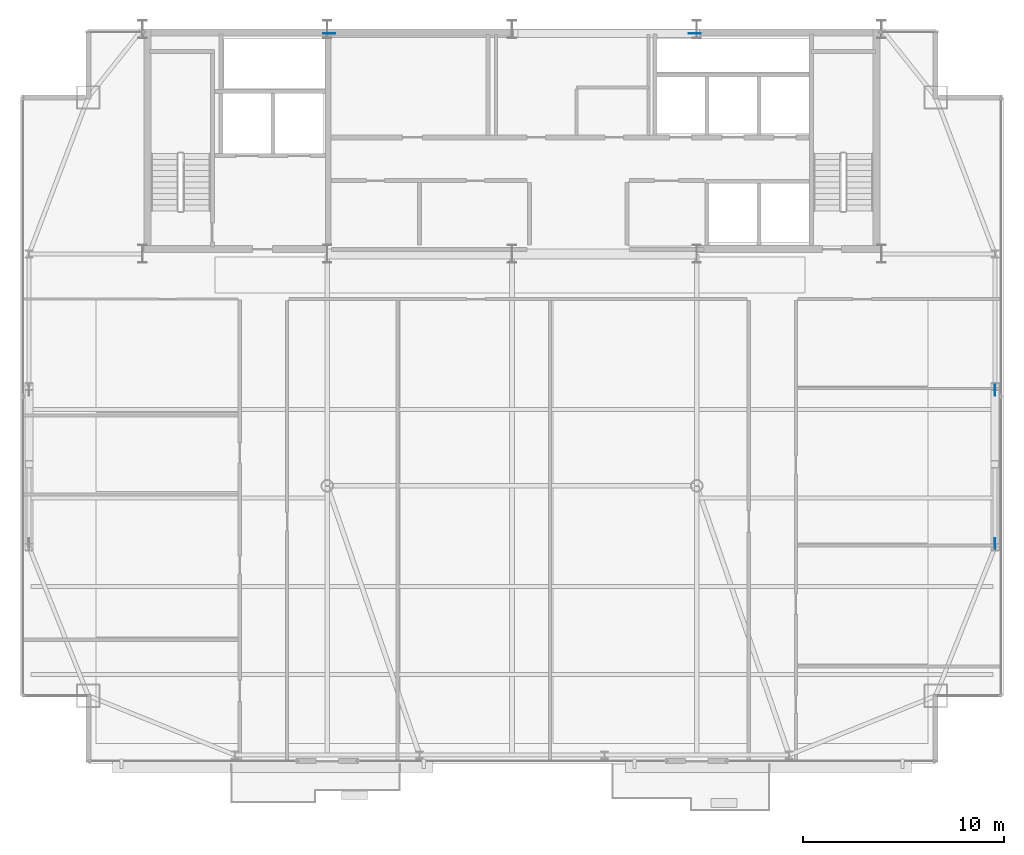
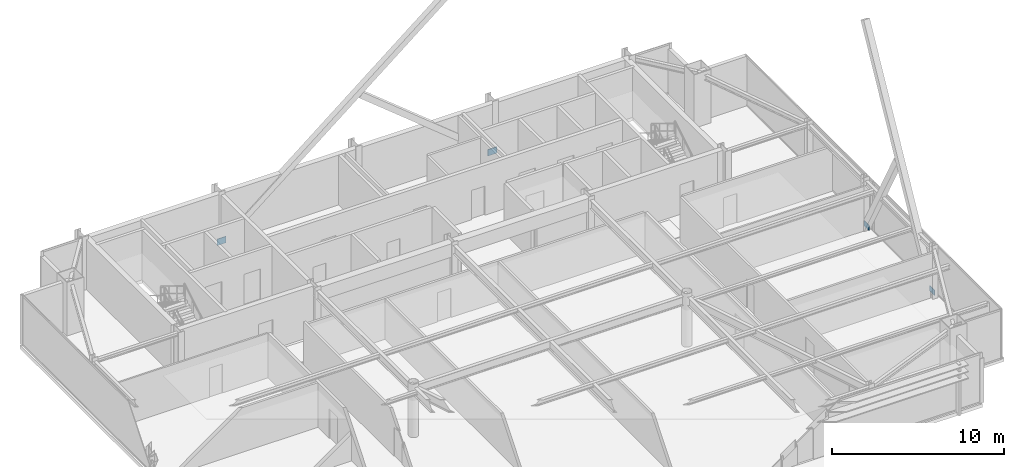
# One storey, part 26 of 31: 4 plates.
"""IFC4 building model written with IfcOpenShell, lengths in metres."""

from ifc_helpers import new_model, si_unit, direction, frame, origin, origin_2d, place, context, subcontext, project, spatial, rectangle, extrude, source, transform, mapped, material, layer, layer_set, type_object, type_shapes, element, save


model = new_model("IFC4")

# Units and contexts
model_context = context("Model", 3, precision=1e-05, world=origin(), true_north=direction((0.0, 1.0)))
body_context = subcontext(model_context, "Body", "Model", "MODEL_VIEW")
ifc_project = project(units=[si_unit("LENGTHUNIT", "METRE"), si_unit("AREAUNIT", "SQUARE_METRE"), si_unit("VOLUMEUNIT", "CUBIC_METRE"), si_unit("PLANEANGLEUNIT", "RADIAN"), si_unit("MASSUNIT", "GRAM", prefix="KILO")], contexts=[model_context])

# Site, building, storey
site_placement = place(None, origin())
site = spatial("IfcSite", under=ifc_project, at=site_placement, CompositionType="ELEMENT")
building_placement = place(site_placement, origin())
building = spatial("IfcBuilding", under=site, at=building_placement, Name="Varnel Quay Broadcast Tower", CompositionType="ELEMENT")
storey_placement = place(building_placement, frame((0.0, 0.0, 215.0)))
storey = spatial("IfcBuildingStorey", under=building, at=storey_placement, Name="L53", CompositionType="ELEMENT", Elevation=215.0)

# Plates
ifc_material = material(Name="Structural Steel CSA G40.21 350WT", Category="steel")
ifc_layer_1 = layer(ifc_material, 0.031982421875, Name="Structural Steel CSA G40.21 350WT")
ifc_layer_set_1 = layer_set([ifc_layer_1], Name="Structural Steel CSA G40.21 350WT")
plate_type_1 = type_object("IfcPlateType", Name="Plate_EndCap", PredefinedType="USERDEFINED", material=ifc_layer_set_1)
shared_shape_1 = source(origin(), body_context, "Body", "SweptSolid", [
    extrude(rectangle(XDim=0.5400390625, YDim=0.031982421875, at=origin_2d()), origin(), (0.0, 0.0, 1.0), 0.3798828125),
])
type_shapes(plate_type_1, [shared_shape_1])
for number, where, z_axis, x_axis, name in (
    (1, (58.050048828125, 21.1796875, 0.164794921875), (0.0, 0.0, 1.0), (0.0, 1.0, 0.0), "Zone 4 Mega-Brace E-FT2 Diag A End Connection Plate P0"),
    (2, (58.050048828125, 28.8203125, 0.164794921875), (0.0, 0.0, 1.0), (0.0, 1.0, 0.0), "Zone 4 Mega-Brace E-FT2 Diag B1 End Connection Plate P0"),
):
    element("IfcPlate", number, at=place(storey_placement, frame(where, z_axis=z_axis, x_axis=x_axis)), inside=storey, type_object=plate_type_1, Name=name, ObjectType="CAP_PLATE", PredefinedType="USERDEFINED", context=body_context, shape_type="MappedRepresentation", body=[
        mapped(shared_shape_1, transform((0.0, 0.0, 0.0), x_axis=(1.0, 0.0, 0.0), y_axis=(0.0, 1.0, 0.0), z_axis=(0.0, 0.0, 1.0), scale=1.0)),
    ])
ifc_layer_2 = layer(ifc_material, 0.0400390625, Name="Structural Steel CSA G40.21 350WT")
ifc_layer_set_2 = layer_set([ifc_layer_2], Name="Structural Steel CSA G40.21 350WT")
plate_type_2 = type_object("IfcPlateType", Name="Plate_EmbedPlate", PredefinedType="USERDEFINED", material=ifc_layer_set_2)
shared_shape_2 = source(origin(), body_context, "Body", "SweptSolid", [
    extrude(rectangle(XDim=0.60009765625, YDim=0.0400390625, at=origin_2d()), origin(), (0.0, 0.0, 1.0), 0.449951171875),
])
type_shapes(plate_type_2, [shared_shape_2])
for number, where, z_axis, x_axis, name in (
    (3, (24.893310546875, 46.580078125, -0.12939453125), (0.0, 0.0, 1.0), (1.0, 0.0, 0.0), "Zone 4 Mega-Brace N-CT2 Diag A Wall Cast-In Embed Plate P0"),
    (4, (43.106689453125, 46.580078125, -0.12939453125), (0.0, 0.0, 1.0), (1.0, 0.0, 0.0), "Zone 4 Mega-Brace N-CT2 Diag B1 Wall Cast-In Embed Plate P0"),
):
    element("IfcPlate", number, at=place(storey_placement, frame(where, z_axis=z_axis, x_axis=x_axis)), inside=storey, type_object=plate_type_2, Name=name, ObjectType="EMBED_PLATE", PredefinedType="USERDEFINED", context=body_context, shape_type="MappedRepresentation", body=[
        mapped(shared_shape_2, transform((0.0, 0.0, 0.0), x_axis=(1.0, 0.0, 0.0), y_axis=(0.0, 1.0, 0.0), z_axis=(0.0, 0.0, 1.0), scale=1.0)),
    ])

save(model, "model.ifc")
